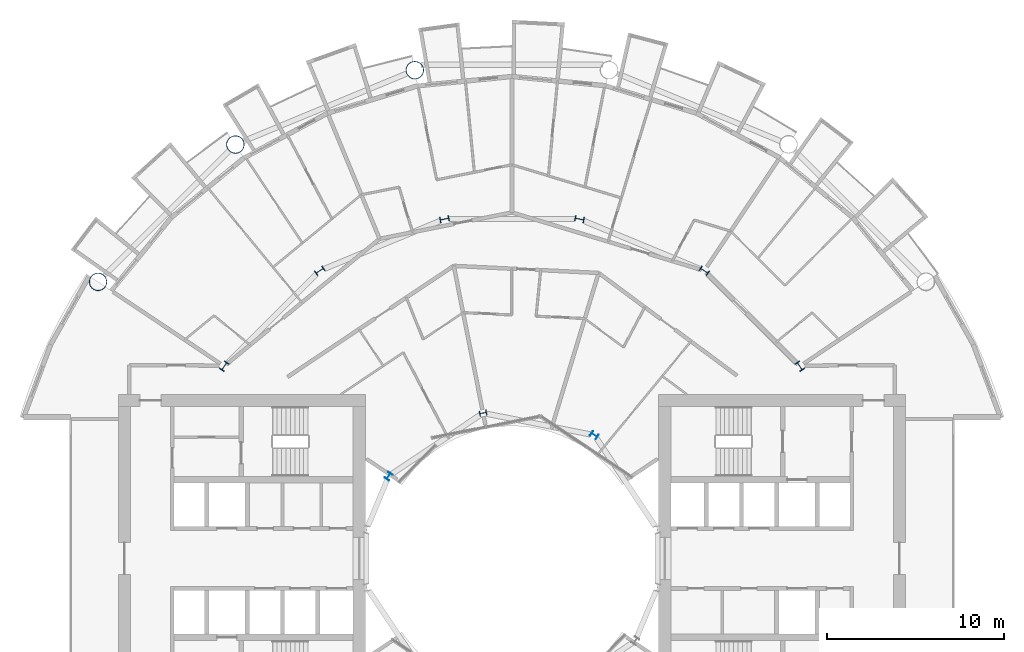
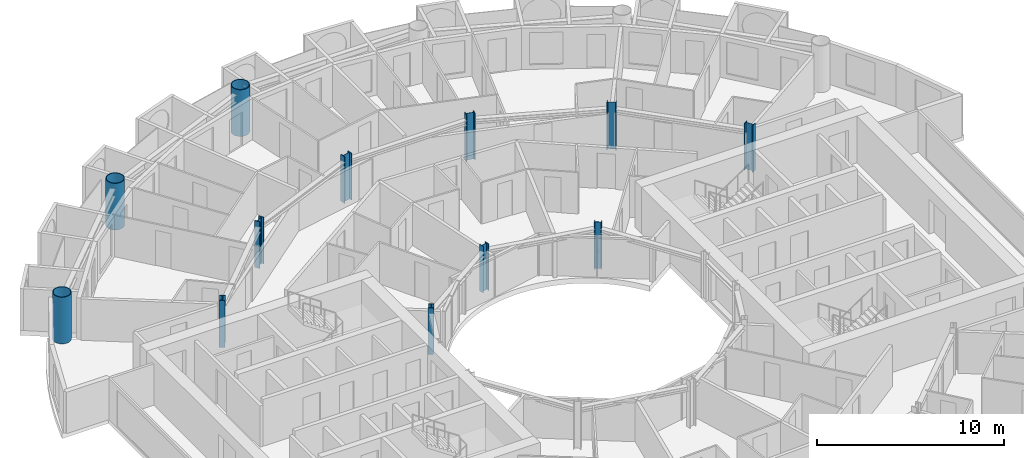
# One storey, part 3 of 26: 12 columns.
"""IFC4 building model written with IfcOpenShell, lengths in metres."""

from ifc_helpers import new_model, si_unit, direction, frame, origin, origin_2d, place, context, subcontext, project, spatial, hollow_circle, i_section, extrude, material, material_profile, profile_set, type_object, element, save


model = new_model("IFC4")

# Units and contexts
model_context = context("Model", 3, precision=1e-05, world=origin(), true_north=direction((0.0, 1.0)))
body_context = subcontext(model_context, "Body", "Model", "MODEL_VIEW")
ifc_project = project(units=[si_unit("LENGTHUNIT", "METRE"), si_unit("AREAUNIT", "SQUARE_METRE"), si_unit("VOLUMEUNIT", "CUBIC_METRE"), si_unit("PLANEANGLEUNIT", "RADIAN"), si_unit("MASSUNIT", "GRAM", prefix="KILO")], contexts=[model_context])

# Site, building, storey
site_placement = place(None, origin())
site = spatial("IfcSite", under=ifc_project, at=site_placement, CompositionType="ELEMENT")
building_placement = place(site_placement, origin())
building = spatial("IfcBuilding", under=site, at=building_placement, Name="Maasbend Ring Residences", CompositionType="ELEMENT")
storey_placement = place(building_placement, frame((0.0, 0.0, 88.0)))
storey = spatial("IfcBuildingStorey", under=building, at=storey_placement, Name="L25", CompositionType="ELEMENT", Elevation=88.0)

# Columns
ifc_material_1 = material(Name="Composite concrete-filled steel tube S460NH / C80/95", Category="concrete")
ifc_material_profile_1 = material_profile(ifc_material_1, hollow_circle(Radius=0.508056640625, WallThickness=0.0400390625, at=origin_2d()), Name="Composite tube column CHS 1016x40")
ifc_profile_set_1 = profile_set([ifc_material_profile_1], Name="Composite concrete-filled steel tube S460NH / C80/95")
column_type_1 = type_object("IfcColumnType", Name="Composite tube column CHS 1016x40", PredefinedType="COLUMN", material=ifc_profile_set_1)
for number, where, z_axis, x_axis, name in (
    (1, (-5.50146484375, 27.658203125, 0.0), (0.0, 0.0, 1.0), (1.0, 0.0, 0.0), "Outer column R5"),
    (2, (-15.6669921875, 23.447509765625, 0.0), (0.0, 0.0, 1.0), (1.0, 0.0, 0.0), "Outer column R6"),
    (3, (-23.447509765625, 15.6669921875, 0.0), (0.0, 0.0, 1.0), (1.0, 0.0, 0.0), "Outer column R7"),
):
    element("IfcColumn", number, at=place(storey_placement, frame(where, z_axis=z_axis, x_axis=x_axis)), inside=storey, type_object=column_type_1, Name=name, PredefinedType="COLUMN", context=body_context, shape_type="SweptSolid", body=[
        extrude(hollow_circle(Radius=0.508056640625, WallThickness=0.0400390625, at=origin_2d()), origin(), (0.0, 0.0, 1.0), 3.050048828125),
    ])
ifc_material_2 = material(Name="Steel S355J2", Category="steel")
ifc_material_profile_2 = material_profile(ifc_material_2, i_section(OverallWidth=0.300048828125, OverallDepth=0.39990234375, WebThickness=0.013427734375, FlangeThickness=0.02392578125, FilletRadius=0.027099609375, at=origin_2d()), Name="HEB 400")
ifc_profile_set_2 = profile_set([ifc_material_profile_2], Name="Steel S355J2")
column_type_2 = type_object("IfcColumnType", Name="Steel column HEB 400", PredefinedType="COLUMN", material=ifc_profile_set_2)
for number, where, z_axis, x_axis, name in (
    (4, (4.666748046875, 6.984375, 0.0), (0.0, 0.0, 1.0), (0.55557023302, 0.831469612303, 0.0), "Well ring column R3"),
    (5, (-1.638916015625, 8.238525390625, 0.0), (0.0, 0.0, 1.0), (-0.195090322016, 0.980785280403, 0.0), "Well ring column R5"),
    (6, (-6.984375, 4.666748046875, 0.0), (0.0, 0.0, 1.0), (-0.831469612303, 0.55557023302, 0.0), "Well ring column R7"),
):
    element("IfcColumn", number, at=place(storey_placement, frame(where, z_axis=z_axis, x_axis=x_axis)), inside=storey, type_object=column_type_2, Name=name, PredefinedType="COLUMN", context=body_context, shape_type="SweptSolid", body=[
        extrude(i_section(OverallWidth=0.300048828125, OverallDepth=0.39990234375, WebThickness=0.013427734375, FlangeThickness=0.02392578125, FilletRadius=0.027099609375, at=origin_2d()), origin(), (0.0, 0.0, 1.0), 3.050048828125),
    ])
ifc_material_3 = material(Name="Steel S460M", Category="steel")
ifc_material_profile_3 = material_profile(ifc_material_3, i_section(OverallWidth=0.305908203125, OverallDepth=0.52392578125, WebThickness=0.02099609375, FlangeThickness=0.0400390625, FilletRadius=0.027099609375, at=origin_2d()), Name="HEM 500")
ifc_profile_set_3 = profile_set([ifc_material_profile_3], Name="Steel S460M")
column_type_3 = type_object("IfcColumnType", Name="Steel column HEM 500", PredefinedType="COLUMN", material=ifc_profile_set_3)
for number, where, z_axis, x_axis, name in (
    (7, (16.296875, 10.88916015625, 0.0), (0.0, 0.0, 1.0), (0.831469612303, 0.55557023302, 0.0), "Corridor ring column R2"),
    (8, (10.88916015625, 16.296875, 0.0), (0.0, 0.0, 1.0), (0.55557023302, 0.831469612303, 0.0), "Corridor ring column R3"),
    (9, (3.82373046875, 19.223388671875, 0.0), (0.0, 0.0, 1.0), (0.195090322016, 0.980785280403, 0.0), "Corridor ring column R4"),
    (10, (-3.82373046875, 19.223388671875, 0.0), (0.0, 0.0, 1.0), (-0.195090322016, 0.980785280403, 0.0), "Corridor ring column R5"),
    (11, (-10.88916015625, 16.296875, 0.0), (0.0, 0.0, 1.0), (-0.55557023302, 0.831469612303, 0.0), "Corridor ring column R6"),
    (12, (-16.296875, 10.88916015625, 0.0), (0.0, 0.0, 1.0), (-0.831469612303, 0.55557023302, 0.0), "Corridor ring column R7"),
):
    element("IfcColumn", number, at=place(storey_placement, frame(where, z_axis=z_axis, x_axis=x_axis)), inside=storey, type_object=column_type_3, Name=name, PredefinedType="COLUMN", context=body_context, shape_type="SweptSolid", body=[
        extrude(i_section(OverallWidth=0.305908203125, OverallDepth=0.52392578125, WebThickness=0.02099609375, FlangeThickness=0.0400390625, FilletRadius=0.027099609375, at=origin_2d()), origin(), (0.0, 0.0, 1.0), 3.050048828125),
    ])

save(model, "model.ifc")
